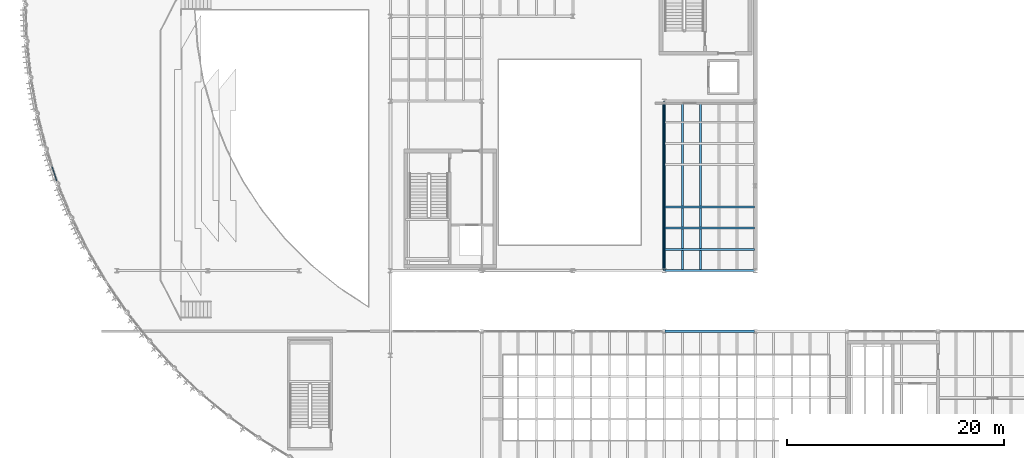
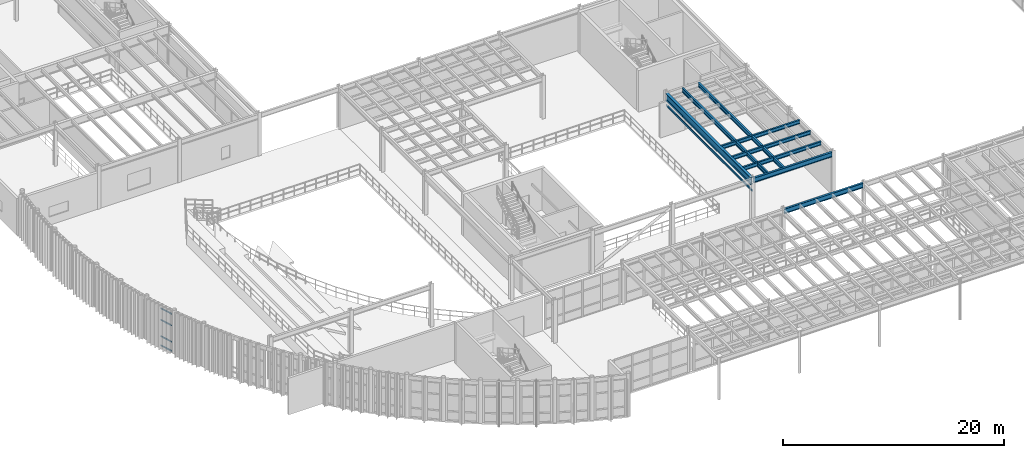
# One storey, part 33 of 105: 9 beams, 4 members, 1 element without a shape of its own.
"""IFC4 building model written with IfcOpenShell, lengths in metres."""

from ifc_helpers import new_model, si_unit, direction, frame, origin, origin_2d, place, context, subcontext, project, spatial, hollow_rectangle, i_section, extrude, material, layer, layer_set, material_profile, profile_set, type_object, element, aggregate, save


model = new_model("IFC4")

# Units and contexts
model_context = context("Model", 3, precision=1e-05, world=origin(), true_north=direction((0.0, 1.0)))
body_context = subcontext(model_context, "Body", "Model", "MODEL_VIEW")
ifc_project = project(units=[si_unit("LENGTHUNIT", "METRE"), si_unit("AREAUNIT", "SQUARE_METRE"), si_unit("VOLUMEUNIT", "CUBIC_METRE"), si_unit("PLANEANGLEUNIT", "RADIAN"), si_unit("MASSUNIT", "GRAM", prefix="KILO")], contexts=[model_context])

# Site, building, storey
site_placement = place(None, origin())
site = spatial("IfcSite", under=ifc_project, at=site_placement, CompositionType="ELEMENT")
building_placement = place(site_placement, origin())
building = spatial("IfcBuilding", under=site, at=building_placement, Name="Selat Folded Stagehouse", CompositionType="ELEMENT")
storey_placement = place(building_placement, frame((0.0, 0.0, 10.199951171875)))
storey = spatial("IfcBuildingStorey", under=building, at=storey_placement, Name="L02", CompositionType="ELEMENT", Elevation=10.199951171875)

# Beams
ifc_material_1 = material(Name="Steel S355", Category="steel")
ifc_material_profile_1 = material_profile(ifc_material_1, i_section(OverallWidth=0.209228515625, OverallDepth=0.533203125, WebThickness=0.010009765625, FlangeThickness=0.015625, FilletRadius=0.0126953125, at=origin_2d()), Name="UKB 533x210x92")
ifc_profile_set_1 = profile_set([ifc_material_profile_1], Name="Steel S355")
beam_type_1 = type_object("IfcBeamType", Name="BM-GIRD-533x210x92", PredefinedType="BEAM", material=ifc_profile_set_1)
beam_1_placement = place(storey_placement, frame((58.876953125, 17.800048828125, 4.308349609375), z_axis=(1.0, 0.0, 0.0), x_axis=(0.0, 1.0, 0.0)))
element("IfcBeam", 1, at=beam_1_placement, inside=storey, type_object=beam_type_1, Name="L02 primary x-girder 1002", PredefinedType="BEAM", context=body_context, shape_type="SweptSolid", body=[
    extrude(i_section(OverallWidth=0.209228515625, OverallDepth=0.533203125, WebThickness=0.010009765625, FlangeThickness=0.015625, FilletRadius=0.0126953125, at=origin_2d()), origin(), (0.0, 0.0, 1.0), 8.24609375),
])
beam_2_placement = place(storey_placement, frame((58.8798828125, 23.39990234375, 4.33349609375), z_axis=(1.0, 0.0, 0.0), x_axis=(0.0, 1.0, 0.0)))
element("IfcBeam", 2, at=beam_2_placement, inside=storey, type_object=beam_type_1, Name="L02 primary x-girder 1013", PredefinedType="BEAM", context=body_context, shape_type="SweptSolid", body=[
    extrude(i_section(OverallWidth=0.209228515625, OverallDepth=0.533203125, WebThickness=0.010009765625, FlangeThickness=0.015625, FilletRadius=0.0126953125, at=origin_2d()), origin(), (0.0, 0.0, 1.0), 8.240234375),
])
ifc_material_profile_2 = material_profile(ifc_material_1, i_section(OverallWidth=0.26806640625, OverallDepth=0.769775390625, WebThickness=0.015625, FlangeThickness=0.025390625, FilletRadius=0.0166015625, at=origin_2d()), Name="UKB 762x267x197")
ifc_profile_set_2 = profile_set([ifc_material_profile_2], Name="Steel S355")
beam_type_2 = type_object("IfcBeamType", Name="BM-GIRD-762x267x197", PredefinedType="BEAM", material=ifc_profile_set_2)
beam_3_placement = place(storey_placement, frame((58.800048828125, 23.47998046875, 4.215087890625), z_axis=(0.0, 1.0, 0.0), x_axis=(-1.0, 0.0, 0.0)))
element("IfcBeam", 3, at=beam_3_placement, inside=storey, type_object=beam_type_2, Name="L02 primary y-girder 1055", PredefinedType="BEAM", context=body_context, shape_type="SweptSolid", body=[
    extrude(i_section(OverallWidth=0.26806640625, OverallDepth=0.769775390625, WebThickness=0.015625, FlangeThickness=0.025390625, FilletRadius=0.0166015625, at=origin_2d()), origin(), (0.0, 0.0, 1.0), 15.43994140625),
])

# Curtain wall, members
ifc_material_2 = material(Name="Aluminium 6063-T6", Category="aluminium")
ifc_layer = layer(ifc_material_2, 0.199951171875)
ifc_layer_set = layer_set([ifc_layer], Name="Aluminium 6063-T6")
curtain_wall_type = type_object("IfcCurtainWallType", Name="CW-DRM-MID", PredefinedType="NOTDEFINED", material=ifc_layer_set)
curtain_wall_placement = place(storey_placement, origin())
curtain_wall = element("IfcCurtainWall", 4, at=curtain_wall_placement, inside=storey, type_object=curtain_wall_type, Name="L02 curtain wall CW-DRM-L02-06", PredefinedType="NOTDEFINED")
ifc_material_profile_3 = material_profile(ifc_material_2, hollow_rectangle(XDim=0.06494140625, YDim=0.139892578125, WallThickness=0.00390625, at=origin_2d()), Name="ALU 140x65x4.0")
ifc_profile_set_3 = profile_set([ifc_material_profile_3], Name="Aluminium 6063-T6")
member_type = type_object("IfcMemberType", Name="CWM-TRN-140x65", PredefinedType="USERDEFINED", material=ifc_profile_set_3)
member_1_placement = place(storey_placement, frame((2.868896484375, 31.683349609375, 0.032470703125), z_axis=(-0.312993731662, 0.949755191584, 0.0), x_axis=(-0.949755191584, -0.312993731662, 0.0)))
member_1 = element("IfcMember", 5, at=member_1_placement, type_object=member_type, Name="CW-02 transom 1.1", ObjectType="TRANSOM", PredefinedType="USERDEFINED", context=body_context, shape_type="SweptSolid", body=[
    extrude(hollow_rectangle(XDim=0.06494140625, YDim=0.139892578125, WallThickness=0.00390625, at=origin_2d()), origin(), (0.0, 0.0, 1.0), 1.3369140625),
])
member_2_placement = place(storey_placement, frame((2.868896484375, 31.683349609375, 1.050048828125), z_axis=(-0.312993731662, 0.949755191584, 0.0), x_axis=(-0.949755191584, -0.312993731662, 0.0)))
member_2 = element("IfcMember", 6, at=member_2_placement, type_object=member_type, Name="CW-02 transom 1.2", ObjectType="TRANSOM", PredefinedType="USERDEFINED", context=body_context, shape_type="SweptSolid", body=[
    extrude(hollow_rectangle(XDim=0.06494140625, YDim=0.139892578125, WallThickness=0.00390625, at=origin_2d()), origin(), (0.0, 0.0, 1.0), 1.3369140625),
])
member_3_placement = place(storey_placement, frame((2.868896484375, 31.683349609375, 2.85009765625), z_axis=(-0.312993731662, 0.949755191584, 0.0), x_axis=(-0.949755191584, -0.312993731662, 0.0)))
member_3 = element("IfcMember", 7, at=member_3_placement, type_object=member_type, Name="CW-02 transom 1.3", ObjectType="TRANSOM", PredefinedType="USERDEFINED", context=body_context, shape_type="SweptSolid", body=[
    extrude(hollow_rectangle(XDim=0.06494140625, YDim=0.139892578125, WallThickness=0.00390625, at=origin_2d()), origin(), (0.0, 0.0, 1.0), 1.3369140625),
])
member_4_placement = place(storey_placement, frame((2.868896484375, 31.683349609375, 4.12744140625), z_axis=(-0.312993731662, 0.949755191584, 0.0), x_axis=(-0.949755191584, -0.312993731662, 0.0)))
member_4 = element("IfcMember", 8, at=member_4_placement, type_object=member_type, Name="CW-02 transom 1.4", ObjectType="TRANSOM", PredefinedType="USERDEFINED", context=body_context, shape_type="SweptSolid", body=[
    extrude(hollow_rectangle(XDim=0.06494140625, YDim=0.139892578125, WallThickness=0.00390625, at=origin_2d()), origin(), (0.0, 0.0, 1.0), 1.3369140625),
])
aggregate(curtain_wall, [member_1, member_2, member_3, member_4])

# Beams
ifc_material_profile_4 = material_profile(ifc_material_1, i_section(OverallWidth=0.177978515625, OverallDepth=0.406494140625, WebThickness=0.0078125, FlangeThickness=0.0126953125, FilletRadius=0.01025390625, at=origin_2d()), Name="UKB 406x178x60")
ifc_profile_set_4 = profile_set([ifc_material_profile_4], Name="Steel S355")
beam_type_3 = type_object("IfcBeamType", Name="JST-406x178x60", PredefinedType="JOIST", material=ifc_profile_set_4)
for number, where, z_axis, x_axis, name in (
    (9, (58.893798828125, 25.35009765625, 4.396728515625), (1.0, 0.0, 0.0), (0.0, 1.0, 0.0), "L02 secondary x-joist 1244"),
    (10, (58.893798828125, 27.300048828125, 4.396728515625), (1.0, 0.0, 0.0), (0.0, 1.0, 0.0), "L02 secondary x-joist 1245"),
    (11, (58.893798828125, 29.25, 4.396728515625), (1.0, 0.0, 0.0), (0.0, 1.0, 0.0), "L02 secondary x-joist 1249"),
):
    element("IfcBeam", number, at=place(storey_placement, frame(where, z_axis=z_axis, x_axis=x_axis)), inside=storey, type_object=beam_type_3, Name=name, PredefinedType="JOIST", context=body_context, shape_type="SweptSolid", body=[
        extrude(i_section(OverallWidth=0.177978515625, OverallDepth=0.406494140625, WebThickness=0.0078125, FlangeThickness=0.0126953125, FilletRadius=0.01025390625, at=origin_2d()), origin(), (0.0, 0.0, 1.0), 8.232421875),
    ])
ifc_material_profile_5 = material_profile(ifc_material_1, i_section(OverallWidth=0.18994140625, OverallDepth=0.453369140625, WebThickness=0.008544921875, FlangeThickness=0.0126953125, FilletRadius=0.01025390625, at=origin_2d()), Name="UKB 457x191x67")
ifc_profile_set_5 = profile_set([ifc_material_profile_5], Name="Steel S355")
beam_type_4 = type_object("IfcBeamType", Name="JST-457x191x67", PredefinedType="JOIST", material=ifc_profile_set_5)
for number, where, z_axis, x_axis, name in (
    (12, (60.47998046875, 23.473388671875, 4.373291015625), (0.0, 1.0, 0.0), (-1.0, 0.0, 0.0), "L02 secondary floor joist 1134"),
    (13, (62.159912109375, 23.473388671875, 4.373291015625), (0.0, 1.0, 0.0), (-1.0, 0.0, 0.0), "L02 secondary floor joist 1137"),
):
    element("IfcBeam", number, at=place(storey_placement, frame(where, z_axis=z_axis, x_axis=x_axis)), inside=storey, type_object=beam_type_4, Name=name, PredefinedType="JOIST", context=body_context, shape_type="SweptSolid", body=[
        extrude(i_section(OverallWidth=0.18994140625, OverallDepth=0.453369140625, WebThickness=0.008544921875, FlangeThickness=0.0126953125, FilletRadius=0.01025390625, at=origin_2d()), origin(), (0.0, 0.0, 1.0), 15.453369140625),
    ])
ifc_material_profile_6 = material_profile(ifc_material_1, hollow_rectangle(XDim=0.10009765625, YDim=0.199951171875, WallThickness=0.008056640625, at=origin_2d()), Name="RHS 200x100x8.0")
ifc_profile_set_6 = profile_set([ifc_material_profile_6], Name="Steel S355")
beam_type_5 = type_object("IfcBeamType", Name="LNT-RHS-200x100", PredefinedType="LINTEL", material=ifc_profile_set_6)
beam_4_placement = place(storey_placement, frame((58.800048828125, 23.39990234375, 3.199951171875), z_axis=(0.0, 1.0, 0.0), x_axis=(-1.0, 0.0, 0.0)))
element("IfcBeam", 14, at=beam_4_placement, inside=storey, type_object=beam_type_5, Name="L02 structural lintel beam 09", PredefinedType="LINTEL", context=body_context, shape_type="SweptSolid", body=[
    extrude(hollow_rectangle(XDim=0.10009765625, YDim=0.199951171875, WallThickness=0.008056640625, at=origin_2d()), origin(), (0.0, 0.0, 1.0), 15.60009765625),
])

save(model, "model.ifc")
